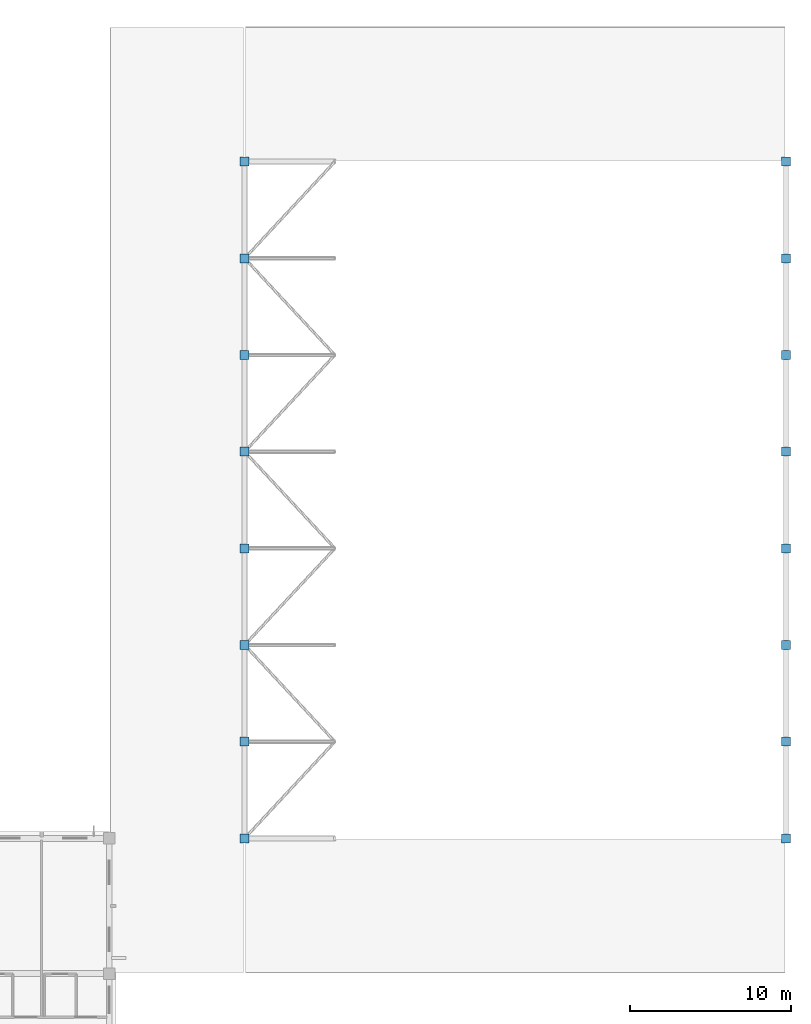
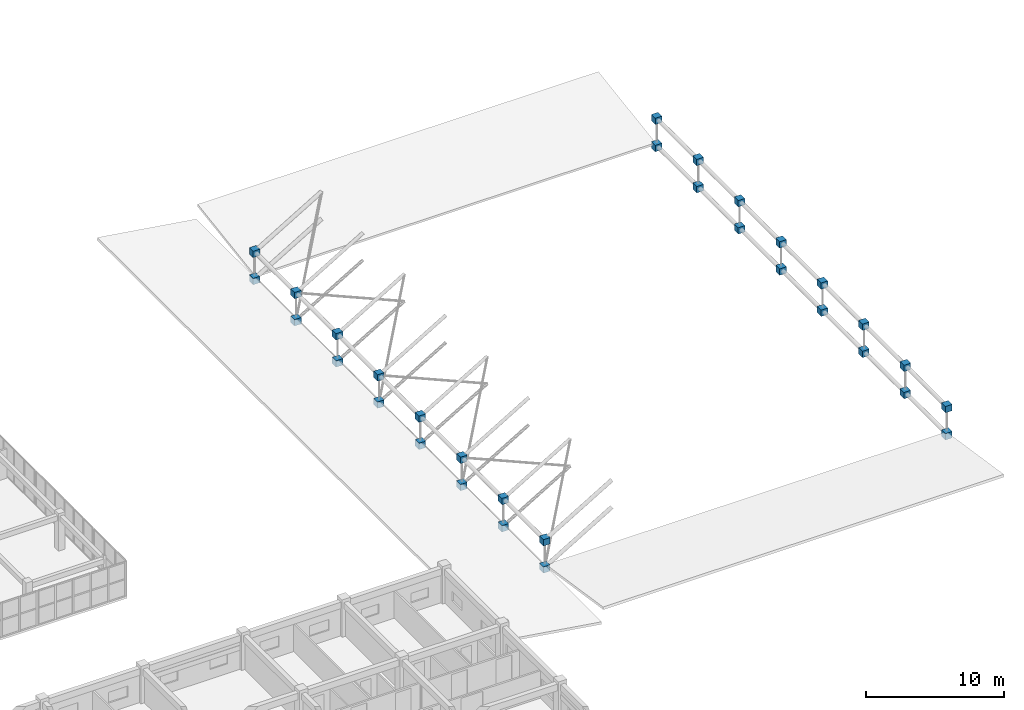
# One storey, part 135 of 148: 32 discrete accessories.
"""IFC4 building model written with IfcOpenShell, lengths in metres."""

import ifcopenshell
import ifcopenshell.guid

model = None  # the IFC model being written
_history = None  # IfcOwnerHistory: only IFC2X3 demands one
_inside = {}  # id of a spatial element -> (the spatial element, [elements in it])
_under = {}  # id of a project, library or spatial element -> (it, [spatial elements below it])
_declared = {}  # id of a project -> (the project, [libraries it declares])
_typed = {}  # id of a type object -> (the type object, [elements of that type])
_made_of = {}  # id of a material, layer set ... -> (it, [elements and type objects made of it])


def new_model(schema):
    """Start an empty IFC model of exactly this schema.

    Asked for "IFC4X3", IfcOpenShell would pick the latest addendum, in which some entities
    have other attributes; the version numbers below select the first issue.
    IFC2X3 requires an IfcOwnerHistory on every rooted entity: one is made here for all.
    """
    global model, _history
    if schema == "IFC4X3":
        model = ifcopenshell.file(schema_version=(4, 3, 0, 0))
    else:
        model = ifcopenshell.file(schema=schema)
    _inside.clear()
    _under.clear()
    _declared.clear()
    _typed.clear()
    _made_of.clear()
    _history = None
    if model.schema == "IFC2X3":
        org = make("IfcOrganization", Name="unknown")
        user = make(
            "IfcPersonAndOrganization",
            ThePerson=make("IfcPerson", FamilyName="unknown"),
            TheOrganization=org,
        )
        app = make(
            "IfcApplication",
            ApplicationDeveloper=org,
            Version="unknown",
            ApplicationFullName="unknown",
            ApplicationIdentifier="unknown",
        )
        _history = make(
            "IfcOwnerHistory",
            OwningUser=user,
            OwningApplication=app,
            ChangeAction="ADDED",
            CreationDate=0,
        )
    return model


def make(cls, **values):
    """One entity of the class cls with the attributes given. An attribute that is None is left unset."""
    return model.create_entity(
        cls, **{name: value for name, value in values.items() if value is not None}
    )


def rooted(cls, **values):
    """An entity with a GlobalId (a new one), such as an element, a storey or a relation."""
    return make(cls, GlobalId=ifcopenshell.guid.new(), OwnerHistory=_history, **values)


def si_unit(unit_type, name, prefix=None):
    """IfcSIUnit, for example si_unit("LENGTHUNIT", "METRE", prefix="MILLI")."""
    return make("IfcSIUnit", UnitType=unit_type, Prefix=prefix, Name=name)


def assignment(units):
    """IfcUnitAssignment: the units of a project."""
    return None if units is None else make("IfcUnitAssignment", Units=units)


def point(xyz):
    """IfcCartesianPoint."""
    return None if xyz is None else make("IfcCartesianPoint", Coordinates=xyz)


def direction(xyz):
    """IfcDirection."""
    return None if xyz is None else make("IfcDirection", DirectionRatios=xyz)


def frame(location, z_axis=None, x_axis=None):
    """IfcAxis2Placement3D, a coordinate frame: its origin and axes. An axis left out is left unset."""
    return make(
        "IfcAxis2Placement3D",
        Location=point(location),
        Axis=direction(z_axis),
        RefDirection=direction(x_axis),
    )


def frame_2d(location, x_axis=None):
    """IfcAxis2Placement2D, a coordinate frame in the plane: its origin and x axis."""
    return make(
        "IfcAxis2Placement2D", Location=point(location), RefDirection=direction(x_axis)
    )


def origin():
    """The frame at (0, 0, 0) with its axes left unset."""
    return frame((0.0, 0.0, 0.0))


def origin_2d():
    """The frame at (0, 0) in the plane with its x axis left unset."""
    return frame_2d((0.0, 0.0))


def place(relative_to, where):
    """IfcLocalPlacement: puts the frame where relative to a parent placement (None: the world)."""
    return make(
        "IfcLocalPlacement", PlacementRelTo=relative_to, RelativePlacement=where
    )


def context(
    kind, dimensions, precision=None, world=None, true_north=None, identifier=None
):
    """IfcGeometricRepresentationContext, for example the 3D "Model" context."""
    return make(
        "IfcGeometricRepresentationContext",
        ContextIdentifier=identifier,
        ContextType=kind,
        CoordinateSpaceDimension=dimensions,
        Precision=precision,
        WorldCoordinateSystem=world,
        TrueNorth=true_north,
    )


def subcontext(parent, identifier, kind, view, scale=None):
    """IfcGeometricRepresentationSubContext, for example "Body" below "Model"."""
    return make(
        "IfcGeometricRepresentationSubContext",
        ContextIdentifier=identifier,
        ContextType=kind,
        ParentContext=parent,
        TargetScale=scale,
        TargetView=view,
    )


def project(units=None, contexts=None):
    """IfcProject with its units and contexts."""
    return rooted(
        "IfcProject",
        Name="project",
        RepresentationContexts=contexts,
        UnitsInContext=assignment(units),
    )


def spatial(cls, under=None, at=None, **own):
    """A site, building, storey or space (cls), placed at a placement, below another one or the project."""
    s = rooted(cls, ObjectPlacement=at, **own)
    if under is not None:
        _under.setdefault(under.id(), (under, []))[1].append(s)
    return s


def profile(cls, at=None, kind="AREA", **sizes):
    """A parametric profile (cls). Its sizes go by their IFC names, for example OverallWidth=200.0."""
    return make(cls, ProfileType=kind, Position=at, **sizes)


def rectangle(**sizes):
    """IfcRectangleProfileDef."""
    return profile("IfcRectangleProfileDef", **sizes)


def extrude(swept, where, along, depth):
    """IfcExtrudedAreaSolid: the profile swept, set in the frame where, extruded along a direction by depth."""
    return make(
        "IfcExtrudedAreaSolid",
        SweptArea=swept,
        Position=where,
        ExtrudedDirection=direction(along),
        Depth=depth,
    )


def shape(context_of_items, identifier, shape_type, items):
    """IfcShapeRepresentation: the items that make up one representation, for example the "Body"."""
    return make(
        "IfcShapeRepresentation",
        ContextOfItems=context_of_items,
        RepresentationIdentifier=identifier,
        RepresentationType=shape_type,
        Items=items,
    )


def material(Name=None, Category=None):
    """IfcMaterial."""
    return make("IfcMaterial", Name=Name, Category=Category)


def made_of(thing, what):
    """Note that an element or type object is made of a material, layer set ...; save() writes the relation."""
    if what is not None:
        _made_of.setdefault(what.id(), (what, []))[1].append(thing)
    return thing


def type_object(cls, material=None, **own):
    """A type object (cls), such as IfcWallType, which elements share."""
    return made_of(rooted(cls, **own), material)


def element(
    cls,
    number,
    at=None,
    inside=None,
    cuts=None,
    type_object=None,
    material=None,
    context=None,
    identifier="Body",
    shape_type=None,
    held_by="IfcProductDefinitionShape",
    body=None,
    shapes=None,
    **own,
):
    """One element of the class cls, such as IfcWall. Its Tag is "e" and its number.

    at: its placement. inside: the storey or other place that contains it. cuts: it is an
    opening in that element (IfcRelVoidsElement). A single representation is given by context,
    identifier, shape_type and body (its items); several are given by shapes. held_by: the class
    of the entity that holds the representations. save() writes the other relations.
    """
    e = rooted(cls, Tag="e%d" % number, ObjectPlacement=at, **own)
    if body is not None:
        shapes = [shape(context, identifier, shape_type, body)]
    if shapes is not None:
        e.Representation = make(held_by, Representations=shapes)
    if inside is not None:
        _inside.setdefault(inside.id(), (inside, []))[1].append(e)
    if cuts is not None:
        rooted(
            "IfcRelVoidsElement", RelatingBuildingElement=cuts, RelatedOpeningElement=e
        )
    if type_object is not None:
        _typed.setdefault(type_object.id(), (type_object, []))[1].append(e)
    return made_of(e, material)


def aggregate(whole, parts):
    """IfcRelAggregates: a whole, such as a stair, and the parts it consists of."""
    return rooted("IfcRelAggregates", RelatingObject=whole, RelatedObjects=parts)


def save(model, path):
    """Write the relations noted so far, then the file.

    IfcRelAggregates (storeys below a building ...), IfcRelContainedInSpatialStructure (elements
    in a storey), IfcRelDefinesByType, IfcRelAssociatesMaterial and IfcRelDeclares: one each for
    every whole, place, type object, material and project.
    """
    for whole, parts in _under.values():
        aggregate(whole, parts)
    for where, things in _inside.values():
        rooted(
            "IfcRelContainedInSpatialStructure",
            RelatedElements=things,
            RelatingStructure=where,
        )
    for kind, things in _typed.values():
        rooted("IfcRelDefinesByType", RelatedObjects=things, RelatingType=kind)
    for what, things in _made_of.values():
        rooted("IfcRelAssociatesMaterial", RelatedObjects=things, RelatingMaterial=what)
    for by, libraries in _declared.values():
        rooted("IfcRelDeclares", RelatingContext=by, RelatedDefinitions=libraries)
    model.write(path)


model = new_model("IFC4")

# Units and contexts
model_context = context("Model", 3, precision=1e-05, world=origin(), true_north=direction((0.0, 1.0)))
body_context = subcontext(model_context, "Body", "Model", "MODEL_VIEW")
ifc_project = project(units=[si_unit("LENGTHUNIT", "METRE"), si_unit("AREAUNIT", "SQUARE_METRE"), si_unit("VOLUMEUNIT", "CUBIC_METRE"), si_unit("PLANEANGLEUNIT", "RADIAN"), si_unit("MASSUNIT", "GRAM", prefix="KILO")], contexts=[model_context])

# Site, building, storey
site_placement = place(None, origin())
site = spatial("IfcSite", under=ifc_project, at=site_placement, CompositionType="ELEMENT")
building_placement = place(site_placement, origin())
building = spatial("IfcBuilding", under=site, at=building_placement, Name="Trelvath General Hospital", CompositionType="ELEMENT")
storey_placement = place(building_placement, frame((0.0, 0.0, 12.89990234375)))
storey = spatial("IfcBuildingStorey", under=building, at=storey_placement, Name="L03", CompositionType="ELEMENT", Elevation=12.89990234375)

# Discrete accessories
ifc_material = material(Name="Steel S355", Category="steel")
discrete_accessory_type = type_object("IfcDiscreteAccessoryType", Name="SpaceFrameNodeHub S355", PredefinedType="BRACKET", material=ifc_material)
for number, where, z_axis, x_axis, name in (
    (1, (142.800048828125, 25.199951171875, -0.280029296875), (0.0, 0.0, 1.0), (1.0, 0.0, 0.0), "Space Frame Node Hub B0-0"),
    (2, (142.800048828125, 25.199951171875, 2.1201171875), (0.0, 0.0, 1.0), (1.0, 0.0, 0.0), "Space Frame Node Hub T0-0"),
    (3, (142.800048828125, 31.199951171875, -0.280029296875), (0.0, 0.0, 1.0), (1.0, 0.0, 0.0), "Space Frame Node Hub B0-1"),
    (4, (142.800048828125, 31.199951171875, 2.1201171875), (0.0, 0.0, 1.0), (1.0, 0.0, 0.0), "Space Frame Node Hub T0-1"),
    (5, (142.800048828125, 37.199951171875, -0.280029296875), (0.0, 0.0, 1.0), (1.0, 0.0, 0.0), "Space Frame Node Hub B0-2"),
    (6, (142.800048828125, 37.199951171875, 2.1201171875), (0.0, 0.0, 1.0), (1.0, 0.0, 0.0), "Space Frame Node Hub T0-2"),
    (7, (142.800048828125, 43.199951171875, -0.280029296875), (0.0, 0.0, 1.0), (1.0, 0.0, 0.0), "Space Frame Node Hub B0-3"),
    (8, (142.800048828125, 43.199951171875, 2.1201171875), (0.0, 0.0, 1.0), (1.0, 0.0, 0.0), "Space Frame Node Hub T0-3"),
    (9, (142.800048828125, 49.199951171875, -0.280029296875), (0.0, 0.0, 1.0), (1.0, 0.0, 0.0), "Space Frame Node Hub B0-4"),
    (10, (142.800048828125, 49.199951171875, 2.1201171875), (0.0, 0.0, 1.0), (1.0, 0.0, 0.0), "Space Frame Node Hub T0-4"),
    (11, (142.800048828125, 55.199951171875, -0.280029296875), (0.0, 0.0, 1.0), (1.0, 0.0, 0.0), "Space Frame Node Hub B0-5"),
    (12, (142.800048828125, 55.199951171875, 2.1201171875), (0.0, 0.0, 1.0), (1.0, 0.0, 0.0), "Space Frame Node Hub T0-5"),
    (13, (142.800048828125, 61.199951171875, -0.280029296875), (0.0, 0.0, 1.0), (1.0, 0.0, 0.0), "Space Frame Node Hub B0-6"),
    (14, (142.800048828125, 61.199951171875, 2.1201171875), (0.0, 0.0, 1.0), (1.0, 0.0, 0.0), "Space Frame Node Hub T0-6"),
    (15, (142.800048828125, 67.199951171875, -0.280029296875), (0.0, 0.0, 1.0), (1.0, 0.0, 0.0), "Space Frame Node Hub B0-7"),
    (16, (142.800048828125, 67.199951171875, 2.1201171875), (0.0, 0.0, 1.0), (1.0, 0.0, 0.0), "Space Frame Node Hub T0-7"),
    (17, (176.39990234375, 25.199951171875, -0.280029296875), (0.0, 0.0, 1.0), (1.0, 0.0, 0.0), "Space Frame Node Hub B6-0"),
    (18, (176.39990234375, 25.199951171875, 2.1201171875), (0.0, 0.0, 1.0), (1.0, 0.0, 0.0), "Space Frame Node Hub T6-0"),
    (19, (176.39990234375, 31.199951171875, -0.280029296875), (0.0, 0.0, 1.0), (1.0, 0.0, 0.0), "Space Frame Node Hub B6-1"),
    (20, (176.39990234375, 31.199951171875, 2.1201171875), (0.0, 0.0, 1.0), (1.0, 0.0, 0.0), "Space Frame Node Hub T6-1"),
    (21, (176.39990234375, 37.199951171875, -0.280029296875), (0.0, 0.0, 1.0), (1.0, 0.0, 0.0), "Space Frame Node Hub B6-2"),
    (22, (176.39990234375, 37.199951171875, 2.1201171875), (0.0, 0.0, 1.0), (1.0, 0.0, 0.0), "Space Frame Node Hub T6-2"),
    (23, (176.39990234375, 43.199951171875, -0.280029296875), (0.0, 0.0, 1.0), (1.0, 0.0, 0.0), "Space Frame Node Hub B6-3"),
    (24, (176.39990234375, 43.199951171875, 2.1201171875), (0.0, 0.0, 1.0), (1.0, 0.0, 0.0), "Space Frame Node Hub T6-3"),
    (25, (176.39990234375, 49.199951171875, -0.280029296875), (0.0, 0.0, 1.0), (1.0, 0.0, 0.0), "Space Frame Node Hub B6-4"),
    (26, (176.39990234375, 49.199951171875, 2.1201171875), (0.0, 0.0, 1.0), (1.0, 0.0, 0.0), "Space Frame Node Hub T6-4"),
    (27, (176.39990234375, 55.199951171875, -0.280029296875), (0.0, 0.0, 1.0), (1.0, 0.0, 0.0), "Space Frame Node Hub B6-5"),
    (28, (176.39990234375, 55.199951171875, 2.1201171875), (0.0, 0.0, 1.0), (1.0, 0.0, 0.0), "Space Frame Node Hub T6-5"),
    (29, (176.39990234375, 61.199951171875, -0.280029296875), (0.0, 0.0, 1.0), (1.0, 0.0, 0.0), "Space Frame Node Hub B6-6"),
    (30, (176.39990234375, 61.199951171875, 2.1201171875), (0.0, 0.0, 1.0), (1.0, 0.0, 0.0), "Space Frame Node Hub T6-6"),
    (31, (176.39990234375, 67.199951171875, -0.280029296875), (0.0, 0.0, 1.0), (1.0, 0.0, 0.0), "Space Frame Node Hub B6-7"),
    (32, (176.39990234375, 67.199951171875, 2.1201171875), (0.0, 0.0, 1.0), (1.0, 0.0, 0.0), "Space Frame Node Hub T6-7"),
):
    element("IfcDiscreteAccessory", number, at=place(storey_placement, frame(where, z_axis=z_axis, x_axis=x_axis)), inside=storey, type_object=discrete_accessory_type, Name=name, PredefinedType="BRACKET", context=body_context, shape_type="SweptSolid", body=[
        extrude(rectangle(XDim=0.56005859375, YDim=0.56005859375, at=origin_2d()), origin(), (0.0, 0.0, 1.0), 0.56005859375),
    ])

save(model, "model.ifc")
